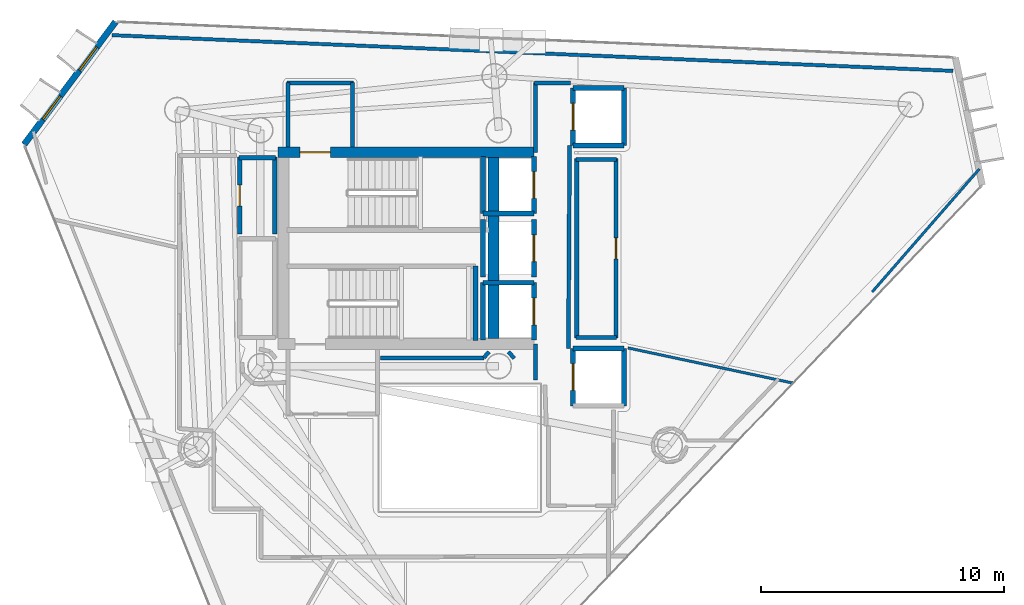
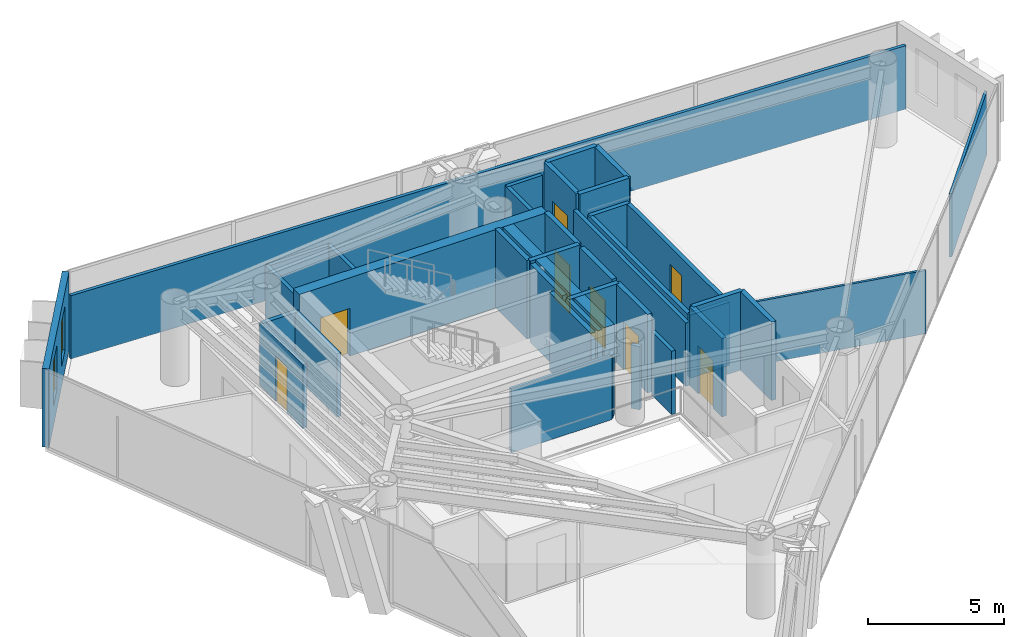
# One storey, part 16 of 21: 39 walls, 8 doors, 2 windows, 10 openings.
"""IFC4 building model written with IfcOpenShell, lengths in metres."""

from ifc_helpers import new_model, si_unit, direction, frame, frame_2d, origin, place, context, subcontext, project, spatial, rectangle, extrude, material, layer, layer_set, type_object, element, fill, save


model = new_model("IFC4")

# Units and contexts
model_context = context("Model", 3, precision=1e-05, world=origin(), true_north=direction((0.0, 1.0)))
body_context = subcontext(model_context, "Body", "Model", "MODEL_VIEW")
ifc_project = project(units=[si_unit("LENGTHUNIT", "METRE"), si_unit("AREAUNIT", "SQUARE_METRE"), si_unit("VOLUMEUNIT", "CUBIC_METRE"), si_unit("PLANEANGLEUNIT", "RADIAN"), si_unit("MASSUNIT", "GRAM", prefix="KILO")], contexts=[model_context])

# Site, building, storey
site_placement = place(None, origin())
site = spatial("IfcSite", under=ifc_project, at=site_placement, CompositionType="ELEMENT")
building_placement = place(site_placement, origin())
building = spatial("IfcBuilding", under=site, at=building_placement, Name="Qianvela Tower", CompositionType="ELEMENT")
storey_placement = place(building_placement, frame((0.0, 0.0, 242.699951171875)))
storey = spatial("IfcBuildingStorey", under=building, at=storey_placement, Name="L62", CompositionType="ELEMENT", Elevation=242.699951171875)

# Wall, openings, windows
ifc_material_1 = material(Name="Terracotta Cladding on Concrete C40", Category="masonry")
ifc_layer_1 = layer(ifc_material_1, 0.260009765625)
ifc_layer_set_1 = layer_set([ifc_layer_1], Name="Terracotta Cladding on Concrete C40")
wall_type_1 = type_object("IfcWallType", Name="TERRACOTTA-WALL-260", PredefinedType="SOLIDWALL", material=ifc_layer_set_1)
wall_1_placement = place(storey_placement, frame((22.64208984375, 38.004638671875, 0.0), z_axis=(0.0, 0.0, 1.0), x_axis=(-0.597554304576, -0.801828443673, 0.0)))
wall_1 = element("IfcWall", 1, at=wall_1_placement, inside=storey, type_object=wall_type_1, Name="L62 Terracotta Chamfer Facet Wall 3", PredefinedType="SOLIDWALL", context=body_context, shape_type="SweptSolid", body=[
    extrude(rectangle(XDim=6.2841796875, YDim=0.260009765625, at=frame_2d((3.14208984375, 0.0))), origin(), (0.0, 0.0, 1.0), 3.52001953125),
])
opening_1_placement = place(wall_1_placement, frame((1.28515625, 0.0, 0.89990234375)))
opening_1 = element("IfcOpeningElement", 2, at=opening_1_placement, cuts=wall_1, Name="Opening W-03", PredefinedType="OPENING", context=body_context, shape_type="SweptSolid", body=[
    extrude(rectangle(XDim=1.199951171875, YDim=2.0, at=frame_2d((0.60009765625, 1.0))), frame((0.0, 0.139892578125, 0.0), z_axis=(0.0, -1.0, 0.0), x_axis=(1.0, 0.0, 0.0)), (0.0, 0.0, 1.0), 0.280029296875),
])
opening_2_placement = place(wall_1_placement, frame((3.798828125, 0.0, 0.89990234375)))
opening_2 = element("IfcOpeningElement", 3, at=opening_2_placement, cuts=wall_1, Name="Opening W-03", PredefinedType="OPENING", context=body_context, shape_type="SweptSolid", body=[
    extrude(rectangle(XDim=1.199951171875, YDim=2.0, at=frame_2d((0.60009765625, 1.0))), frame((0.0, 0.139892578125, 0.0), z_axis=(0.0, -1.0, 0.0), x_axis=(1.0, 0.0, 0.0)), (0.0, 0.0, 1.0), 0.280029296875),
])
ifc_material_2 = material(Name="Thermally Broken Aluminium and Low-E Glass", Category="aluminium")
window_type = type_object("IfcWindowType", Name="WIN-TC-1200x2000", PartitioningType="SINGLE_PANEL", PredefinedType="WINDOW", material=ifc_material_2)
window_1_placement = place(opening_1_placement, origin())
window_1 = element("IfcWindow", 4, at=window_1_placement, inside=storey, type_object=window_type, Name="L62 Chamfer Facet Window 3.1", OverallHeight=2.0, OverallWidth=1.199951171875, PartitioningType="SINGLE_PANEL", PredefinedType="WINDOW", context=body_context, shape_type="SweptSolid", body=[
    extrude(rectangle(XDim=1.199951171875, YDim=2.0, at=frame_2d((0.60009765625, 1.0))), frame((0.0, 0.030029296875, 0.0), z_axis=(0.0, -1.0, 0.0), x_axis=(1.0, 0.0, 0.0)), (0.0, 0.0, 1.0), 0.06005859375),
])
fill(opening_1, window_1)
window_2_placement = place(opening_2_placement, origin())
window_2 = element("IfcWindow", 5, at=window_2_placement, inside=storey, type_object=window_type, Name="L62 Chamfer Facet Window 3.2", OverallHeight=2.0, OverallWidth=1.199951171875, PartitioningType="SINGLE_PANEL", PredefinedType="WINDOW", context=body_context, shape_type="SweptSolid", body=[
    extrude(rectangle(XDim=1.199951171875, YDim=2.0, at=frame_2d((0.60009765625, 1.0))), frame((0.0, 0.030029296875, 0.0), z_axis=(0.0, -1.0, 0.0), x_axis=(1.0, 0.0, 0.0)), (0.0, 0.0, 1.0), 0.06005859375),
])
fill(opening_2, window_2)

# Wall, opening, door
ifc_material_3 = material(Name="Concrete C50", Category="concrete")
ifc_layer_2 = layer(ifc_material_3, 0.449951171875)
ifc_layer_set_2 = layer_set([ifc_layer_2], Name="Concrete C50")
wall_type_2 = type_object("IfcWallType", Name="WT-CORE-450", PredefinedType="SHEAR", material=ifc_layer_set_2)
wall_2_placement = place(storey_placement, frame((29.330078125, 32.64501953125, 0.0), z_axis=(0.0, 0.0, 1.0), x_axis=(1.0, 0.0, 0.0)))
wall_2 = element("IfcWall", 6, at=wall_2_placement, inside=storey, type_object=wall_type_2, Name="L62 North Core Shear Wall", PredefinedType="SHEAR", context=body_context, shape_type="SweptSolid", body=[
    extrude(rectangle(XDim=10.52001953125, YDim=0.449951171875, at=frame_2d((5.260009765625, 0.0))), origin(), (0.0, 0.0, 1.0), 3.52001953125),
])
opening_3_placement = place(wall_2_placement, frame((0.89501953125, 0.0, 0.0)))
opening_3 = element("IfcOpeningElement", 7, at=opening_3_placement, cuts=wall_2, Name="Opening D-ST1", PredefinedType="OPENING", context=body_context, shape_type="SweptSolid", body=[
    extrude(rectangle(XDim=1.25, YDim=2.14990234375, at=frame_2d((0.625, 1.074951171875))), frame((0.0, 0.23486328125, 0.0), z_axis=(0.0, -1.0, 0.0), x_axis=(1.0, 0.0, 0.0)), (0.0, 0.0, 1.0), 0.469970703125),
])
ifc_material_4 = material(Name="Galvanised Fire Steel Q355B", Category="steel")
door_type_1 = type_object("IfcDoorType", Name="DT-STAIR-FD90", OperationType="NOTDEFINED", PredefinedType="DOOR", material=ifc_material_4)
door_1_placement = place(opening_3_placement, origin())
door_1 = element("IfcDoor", 8, at=door_1_placement, inside=storey, type_object=door_type_1, Name="L62 Stair ST-1 Exit Door", OperationType="SINGLE_SWING_RIGHT", OverallHeight=2.14990234375, OverallWidth=1.25, PredefinedType="DOOR", context=body_context, shape_type="SweptSolid", body=[
    extrude(rectangle(XDim=1.25, YDim=2.14990234375, at=frame_2d((0.625, 1.074951171875))), frame((0.0, 0.02490234375, 0.0), z_axis=(0.0, -1.0, 0.0), x_axis=(1.0, 0.0, 0.0)), (0.0, 0.0, 1.0), 0.050048828125),
])
fill(opening_3, door_1)

# Walls
wall_3_placement = place(storey_placement, frame((38.179931640625, 24.97998046875, 0.0), z_axis=(0.0, 0.0, 1.0), x_axis=(0.0, 1.0, 0.0)))
element("IfcWall", 9, at=wall_3_placement, inside=storey, type_object=wall_type_2, Name="L62 East Spine Core Shear Wall", PredefinedType="SHEAR", context=body_context, shape_type="SweptSolid", body=[
    extrude(rectangle(XDim=7.43994140625, YDim=0.449951171875, at=frame_2d((3.719970703125, 0.0))), origin(), (0.0, 0.0, 1.0), 3.52001953125),
])
ifc_material_5 = material(Name="Fire-Rated Gypsum and Concrete Block", Category="concrete")
ifc_layer_3 = layer(ifc_material_5, 0.159912109375)
ifc_layer_set_3 = layer_set([ifc_layer_3], Name="Fire-Rated Gypsum and Concrete Block")
wall_type_3 = type_object("IfcWallType", Name="WT-CORR-160", PredefinedType="PARTITIONING", material=ifc_layer_set_3)
wall_4_placement = place(storey_placement, frame((29.73095703125, 32.85791015625, 0.0), z_axis=(0.0, 0.0, 1.0), x_axis=(0.0, 1.0, 0.0)))
element("IfcWall", 10, at=wall_4_placement, inside=storey, type_object=wall_type_3, Name="L62 Partition 2", PredefinedType="PARTITIONING", context=body_context, shape_type="SweptSolid", body=[
    extrude(rectangle(XDim=2.662109375, YDim=0.159912109375, at=frame_2d((1.3310546875, 0.0))), origin(), (0.0, 0.0, 1.0), 2.840087890625),
])
wall_5_placement = place(storey_placement, frame((29.699951171875, 35.489013671875, 0.0), z_axis=(0.0, 0.0, 1.0), x_axis=(1.0, 0.0, 0.0)))
element("IfcWall", 11, at=wall_5_placement, inside=storey, type_object=wall_type_3, Name="L62 Partition 3", PredefinedType="PARTITIONING", context=body_context, shape_type="SweptSolid", body=[
    extrude(rectangle(XDim=2.719970703125, YDim=0.159912109375, at=frame_2d((1.35986328125, 0.0))), origin(), (0.0, 0.0, 1.0), 2.840087890625),
])
wall_6_placement = place(storey_placement, frame((32.388916015625, 35.52001953125, 0.0), z_axis=(0.0, 0.0, 1.0), x_axis=(0.0, -1.0, 0.0)))
element("IfcWall", 12, at=wall_6_placement, inside=storey, type_object=wall_type_3, Name="L62 Partition 4", PredefinedType="PARTITIONING", context=body_context, shape_type="SweptSolid", body=[
    extrude(rectangle(XDim=2.662109375, YDim=0.159912109375, at=frame_2d((1.3310546875, 0.0))), origin(), (0.0, 0.0, 1.0), 2.840087890625),
])
wall_7_placement = place(storey_placement, frame((39.910888671875, 23.280029296875, 0.0), z_axis=(0.0, 0.0, 1.0), x_axis=(0.0, 1.0, 0.0)))
element("IfcWall", 13, at=wall_7_placement, inside=storey, type_object=wall_type_3, Name="L62 Partition 10", PredefinedType="PARTITIONING", context=body_context, shape_type="SweptSolid", body=[
    extrude(rectangle(XDim=1.47998046875, YDim=0.159912109375, at=frame_2d((0.739990234375, 0.0))), origin(), (0.0, 0.0, 1.0), 2.840087890625),
])
wall_8_placement = place(storey_placement, frame((39.910888671875, 32.639892578125, 0.0), z_axis=(0.0, 0.0, 1.0), x_axis=(0.0, 1.0, 0.0)))
element("IfcWall", 14, at=wall_8_placement, inside=storey, type_object=wall_type_3, Name="L62 Partition 12", PredefinedType="PARTITIONING", context=body_context, shape_type="SweptSolid", body=[
    extrude(rectangle(XDim=2.880126953125, YDim=0.159912109375, at=frame_2d((1.43994140625, 0.0))), origin(), (0.0, 0.0, 1.0), 2.840087890625),
])
wall_9_placement = place(storey_placement, frame((39.8798828125, 35.489013671875, 0.0), z_axis=(0.0, 0.0, 1.0), x_axis=(1.0, 0.0, 0.0)))
element("IfcWall", 15, at=wall_9_placement, inside=storey, type_object=wall_type_3, Name="L62 Partition 13", PredefinedType="PARTITIONING", context=body_context, shape_type="SweptSolid", body=[
    extrude(rectangle(XDim=1.480224609375, YDim=0.159912109375, at=frame_2d((0.740234375, 0.0))), origin(), (0.0, 0.0, 1.0), 2.840087890625),
])
wall_10_placement = place(storey_placement, frame((41.3134765625, 32.919921875, 0.0), z_axis=(0.0, 0.0, 1.0), x_axis=(-0.005942518022, -0.999982343084, 0.0)))
element("IfcWall", 16, at=wall_10_placement, inside=storey, type_object=wall_type_3, Name="L62 Partition 14 seg 2", PredefinedType="PARTITIONING", context=body_context, shape_type="SweptSolid", body=[
    extrude(rectangle(XDim=8.340087890625, YDim=0.159912109375, at=frame_2d((4.169921875, 0.0))), origin(), (0.0, 0.0, 1.0), 2.840087890625),
])
wall_11_placement = place(storey_placement, frame((39.0361328125, 24.170166015625, 0.0), z_axis=(0.0, 0.0, 1.0), x_axis=(-0.652260263346, 0.757995084984, 0.0)))
element("IfcWall", 17, at=wall_11_placement, inside=storey, type_object=wall_type_3, Name="L62 Partition 45", PredefinedType="PARTITIONING", context=body_context, shape_type="SweptSolid", body=[
    extrude(rectangle(XDim=0.35546875, YDim=0.159912109375, at=frame_2d((0.177734375, 0.0))), origin(), (0.0, 0.0, 1.0), 2.840087890625),
])
wall_12_placement = place(storey_placement, frame((37.995849609375, 24.439697265625, 0.0), z_axis=(0.0, 0.0, 1.0), x_axis=(-0.652425645794, -0.757852740782, 0.0)))
element("IfcWall", 18, at=wall_12_placement, inside=storey, type_object=wall_type_3, Name="L62 Partition 48", PredefinedType="PARTITIONING", context=body_context, shape_type="SweptSolid", body=[
    extrude(rectangle(XDim=0.319580078125, YDim=0.159912109375, at=frame_2d((0.15966796875, 0.0))), origin(), (0.0, 0.0, 1.0), 2.840087890625),
])
wall_13_placement = place(storey_placement, frame((37.787353515625, 24.180908203125, 0.0), z_axis=(0.0, 0.0, 1.0), x_axis=(-1.0, 0.0, 0.0)))
element("IfcWall", 19, at=wall_13_placement, inside=storey, type_object=wall_type_3, Name="L62 Partition 49", PredefinedType="PARTITIONING", context=body_context, shape_type="SweptSolid", body=[
    extrude(rectangle(XDim=4.25732421875, YDim=0.159912109375, at=frame_2d((2.128662109375, 0.0))), origin(), (0.0, 0.0, 1.0), 2.840087890625),
])
ifc_material_6 = material(Name="Lightweight Gypsum Room Partition")
ifc_layer_4 = layer(ifc_material_6, 0.10498046875)
ifc_layer_set_4 = layer_set([ifc_layer_4], Name="Lightweight Gypsum Room Partition")
wall_type_4 = type_object("IfcWallType", Name="WT-PART-105", PredefinedType="PARTITIONING", material=ifc_layer_set_4)
wall_14_placement = place(storey_placement, frame((43.709716796875, 24.601318359375, 0.0), z_axis=(0.0, 0.0, 1.0), x_axis=(0.978027062603, -0.208477972017, 0.0)))
element("IfcWall", 20, at=wall_14_placement, inside=storey, type_object=wall_type_4, Name="L62 Partition 86", PredefinedType="PARTITIONING", context=body_context, shape_type="SweptSolid", body=[
    extrude(rectangle(XDim=6.96435546875, YDim=0.10498046875, at=frame_2d((3.482177734375, 0.0))), origin(), (0.0, 0.0, 1.0), 2.840087890625),
])
wall_15_placement = place(storey_placement, frame((58.162109375, 31.95947265625, 0.0), z_axis=(0.0, 0.0, 1.0), x_axis=(-0.656996886826, -0.75389328867, 0.0)))
element("IfcWall", 21, at=wall_15_placement, inside=storey, type_object=wall_type_4, Name="L62 Partition 110 seg 1", PredefinedType="PARTITIONING", context=body_context, shape_type="SweptSolid", body=[
    extrude(rectangle(XDim=6.712158203125, YDim=0.10498046875, at=frame_2d((3.35595703125, 0.0))), origin(), (0.0, 0.0, 1.0), 2.840087890625),
])
ifc_material_7 = material(Name="Moisture-Resistant Acoustic Plumbing Wall")
ifc_layer_5 = layer(ifc_material_7, 0.175048828125)
ifc_layer_set_5 = layer_set([ifc_layer_5], Name="Moisture-Resistant Acoustic Plumbing Wall")
wall_type_5 = type_object("IfcWallType", Name="WT-PLUMB-175", PredefinedType="PLUMBINGWALL", material=ifc_layer_set_5)
wall_16_placement = place(storey_placement, frame((43.25, 25.031005859375, 0.0), z_axis=(0.0, 0.0, 1.0), x_axis=(-1.0, 0.0, 0.0)))
element("IfcWall", 22, at=wall_16_placement, inside=storey, type_object=wall_type_5, Name="L62 Partition 19", PredefinedType="PLUMBINGWALL", context=body_context, shape_type="SweptSolid", body=[
    extrude(rectangle(XDim=1.669921875, YDim=0.175048828125, at=frame_2d((0.8349609375, 0.0))), origin(), (0.0, 0.0, 1.0), 2.840087890625),
])
wall_17_placement = place(storey_placement, frame((41.611083984375, 25.0, 0.0), z_axis=(0.0, 0.0, 1.0), x_axis=(0.0, 1.0, 0.0)))
element("IfcWall", 23, at=wall_17_placement, inside=storey, type_object=wall_type_5, Name="L62 Partition 20", PredefinedType="PLUMBINGWALL", context=body_context, shape_type="SweptSolid", body=[
    extrude(rectangle(XDim=7.3798828125, YDim=0.175048828125, at=frame_2d((3.68994140625, 0.0))), origin(), (0.0, 0.0, 1.0), 2.840087890625),
])
wall_18_placement = place(storey_placement, frame((41.580078125, 32.34912109375, 0.0), z_axis=(0.0, 0.0, 1.0), x_axis=(1.0, 0.0, 0.0)))
element("IfcWall", 24, at=wall_18_placement, inside=storey, type_object=wall_type_5, Name="L62 Partition 21", PredefinedType="PLUMBINGWALL", context=body_context, shape_type="SweptSolid", body=[
    extrude(rectangle(XDim=1.669921875, YDim=0.175048828125, at=frame_2d((0.8349609375, 0.0))), origin(), (0.0, 0.0, 1.0), 2.840087890625),
])

# Wall, opening, door
wall_19_placement = place(storey_placement, frame((43.218994140625, 32.3798828125, 0.0), z_axis=(0.0, 0.0, 1.0), x_axis=(0.0, -1.0, 0.0)))
wall_19 = element("IfcWall", 25, at=wall_19_placement, inside=storey, type_object=wall_type_5, Name="L62 Partition 22", PredefinedType="PLUMBINGWALL", context=body_context, shape_type="SweptSolid", body=[
    extrude(rectangle(XDim=7.3798828125, YDim=0.175048828125, at=frame_2d((3.68994140625, 0.0))), origin(), (0.0, 0.0, 1.0), 2.840087890625),
])
opening_4_placement = place(wall_19_placement, frame((3.260009765625, 0.0, 0.0)))
opening_4 = element("IfcOpeningElement", 26, at=opening_4_placement, cuts=wall_19, Name="Opening D-WC1", PredefinedType="OPENING", context=body_context, shape_type="SweptSolid", body=[
    extrude(rectangle(XDim=0.860107421875, YDim=2.050048828125, at=frame_2d((0.43017578125, 1.02490234375))), frame((0.0, 0.097412109375, 0.0), z_axis=(0.0, -1.0, 0.0), x_axis=(1.0, 0.0, 0.0)), (0.0, 0.0, 1.0), 0.195068359375),
])
ifc_material_8 = material(Name="Moisture-Sealed Acoustic Timber Door", Category="wood")
door_type_2 = type_object("IfcDoorType", Name="DT-WC-860", OperationType="NOTDEFINED", PredefinedType="DOOR", material=ifc_material_8)
door_2_placement = place(opening_4_placement, origin())
door_2 = element("IfcDoor", 27, at=door_2_placement, inside=storey, type_object=door_type_2, Name="L62 Door L62 Accessible WC to Maker Craft Workshop L62-05", OperationType="SINGLE_SWING_RIGHT", OverallHeight=2.050048828125, OverallWidth=0.860107421875, PredefinedType="DOOR", context=body_context, shape_type="SweptSolid", body=[
    extrude(rectangle(XDim=0.860107421875, YDim=2.050048828125, at=frame_2d((0.43017578125, 1.02490234375))), frame((0.0, 0.02490234375, 0.0), z_axis=(0.0, -1.0, 0.0), x_axis=(1.0, 0.0, 0.0)), (0.0, 0.0, 1.0), 0.050048828125),
])
fill(opening_4, door_2)

wall_20_placement = place(storey_placement, frame((27.7509765625, 29.280029296875, 0.0), z_axis=(0.0, 0.0, 1.0), x_axis=(0.0, 1.0, 0.0)))
wall_20 = element("IfcWall", 28, at=wall_20_placement, inside=storey, type_object=wall_type_5, Name="L62 Partition 27", PredefinedType="PLUMBINGWALL", context=body_context, shape_type="SweptSolid", body=[
    extrude(rectangle(XDim=3.169921875, YDim=0.175048828125, at=frame_2d((1.5849609375, 0.0))), origin(), (0.0, 0.0, 1.0), 2.840087890625),
])
opening_5_placement = place(wall_20_placement, frame((1.155029296875, 0.0, 0.0)))
opening_5 = element("IfcOpeningElement", 29, at=opening_5_placement, cuts=wall_20, Name="Opening D-WC1", PredefinedType="OPENING", context=body_context, shape_type="SweptSolid", body=[
    extrude(rectangle(XDim=0.860107421875, YDim=2.050048828125, at=frame_2d((0.43017578125, 1.02490234375))), frame((0.0, 0.097412109375, 0.0), z_axis=(0.0, -1.0, 0.0), x_axis=(1.0, 0.0, 0.0)), (0.0, 0.0, 1.0), 0.195068359375),
])
door_3_placement = place(opening_5_placement, origin())
door_3 = element("IfcDoor", 30, at=door_3_placement, inside=storey, type_object=door_type_2, Name="L62 Door L62 Accessible WC to L62 Floor Corridor", OperationType="SINGLE_SWING_LEFT", OverallHeight=2.050048828125, OverallWidth=0.860107421875, PredefinedType="DOOR", context=body_context, shape_type="SweptSolid", body=[
    extrude(rectangle(XDim=0.860107421875, YDim=2.050048828125, at=frame_2d((0.43017578125, 1.02490234375))), frame((0.0, 0.02490234375, 0.0), z_axis=(0.0, -1.0, 0.0), x_axis=(1.0, 0.0, 0.0)), (0.0, 0.0, 1.0), 0.050048828125),
])
fill(opening_5, door_3)

# Walls
wall_21_placement = place(storey_placement, frame((27.719970703125, 32.4189453125, 0.0), z_axis=(0.0, 0.0, 1.0), x_axis=(1.0, 0.0, 0.0)))
element("IfcWall", 31, at=wall_21_placement, inside=storey, type_object=wall_type_5, Name="L62 Partition 28", PredefinedType="PLUMBINGWALL", context=body_context, shape_type="SweptSolid", body=[
    extrude(rectangle(XDim=1.5, YDim=0.175048828125, at=frame_2d((0.75, 0.0))), origin(), (0.0, 0.0, 1.0), 2.840087890625),
])
wall_22_placement = place(storey_placement, frame((29.18896484375, 32.449951171875, 0.0), z_axis=(0.0, 0.0, 1.0), x_axis=(0.0, -1.0, 0.0)))
element("IfcWall", 32, at=wall_22_placement, inside=storey, type_object=wall_type_5, Name="L62 Partition 29", PredefinedType="PLUMBINGWALL", context=body_context, shape_type="SweptSolid", body=[
    extrude(rectangle(XDim=3.169921875, YDim=0.175048828125, at=frame_2d((1.5849609375, 0.0))), origin(), (0.0, 0.0, 1.0), 2.840087890625),
])
ifc_material_9 = material(Name="Acoustic Double Gypsum Stud Partition")
ifc_layer_6 = layer(ifc_material_9, 0.139892578125)
ifc_layer_set_6 = layer_set([ifc_layer_6], Name="Acoustic Double Gypsum Stud Partition")
wall_type_6 = type_object("IfcWallType", Name="WT-ROOM-140", PredefinedType="PARTITIONING", material=ifc_layer_set_6)
wall_23_placement = place(storey_placement, frame((22.506591796875, 37.458984375, 0.0), z_axis=(0.0, 0.0, 1.0), x_axis=(0.999098166192, -0.042460031931, 0.0)))
element("IfcWall", 33, at=wall_23_placement, inside=storey, type_object=wall_type_6, Name="L62 Partition 108", PredefinedType="PARTITIONING", context=body_context, shape_type="SweptSolid", body=[
    extrude(rectangle(XDim=34.608642578125, YDim=0.139892578125, at=frame_2d((17.30419921875, 0.0))), origin(), (0.0, 0.0, 1.0), 2.840087890625),
])
ifc_material_10 = material(Name="Concrete C50", Category="concrete")
ifc_layer_7 = layer(ifc_material_10, 0.199951171875)
ifc_layer_set_7 = layer_set([ifc_layer_7], Name="Concrete C50")
wall_type_7 = type_object("IfcWallType", Name="WT-SHAFT-200", PredefinedType="SOLIDWALL", material=ifc_layer_set_7)
wall_24_placement = place(storey_placement, frame((37.449951171875, 24.89990234375, 0.0), z_axis=(0.0, 0.0, 1.0), x_axis=(0.0, 1.0, 0.0)))
element("IfcWall", 34, at=wall_24_placement, inside=storey, type_object=wall_type_7, Name="L62 Stair ST-2 East Wall", PredefinedType="SOLIDWALL", context=body_context, shape_type="SweptSolid", body=[
    extrude(rectangle(XDim=3.06005859375, YDim=0.199951171875, at=frame_2d((1.530029296875, 0.0))), origin(), (0.0, 0.0, 1.0), 3.52001953125),
])

# Wall, opening, door
wall_25_placement = place(storey_placement, frame((39.85009765625, 30.1201171875, 0.0), z_axis=(0.0, 0.0, 1.0), x_axis=(0.0, 1.0, 0.0)))
wall_25 = element("IfcWall", 35, at=wall_25_placement, inside=storey, type_object=wall_type_7, Name="L62 Lift FL-1 E Shaft Wall", PredefinedType="SOLIDWALL", context=body_context, shape_type="SweptSolid", body=[
    extrude(rectangle(XDim=2.35986328125, YDim=0.199951171875, at=frame_2d((1.179931640625, 0.0))), origin(), (0.0, 0.0, 1.0), 3.52001953125),
])
opening_6_placement = place(wall_25_placement, frame((0.6298828125, 0.0, 0.0)))
opening_6 = element("IfcOpeningElement", 36, at=opening_6_placement, cuts=wall_25, Name="Opening LD-01", PredefinedType="OPENING", context=body_context, shape_type="SweptSolid", body=[
    extrude(rectangle(XDim=1.10009765625, YDim=2.14990234375, at=frame_2d((0.550048828125, 1.074951171875))), frame((0.0, 0.10986328125, 0.0), z_axis=(0.0, -1.0, 0.0), x_axis=(1.0, 0.0, 0.0)), (0.0, 0.0, 1.0), 0.219970703125),
])
ifc_material_11 = material(Name="Brushed Stainless Steel Lift Landing Door", Category="steel")
door_type_3 = type_object("IfcDoorType", Name="DT-LIFT-SLIDE-1100", OperationType="SLIDING_TO_LEFT", PredefinedType="DOOR", material=ifc_material_11)
door_4_placement = place(opening_6_placement, origin())
door_4 = element("IfcDoor", 37, at=door_4_placement, inside=storey, type_object=door_type_3, Name="L62 Lift FL-1 Sliding Landing Door", OperationType="SLIDING_TO_LEFT", OverallHeight=2.14990234375, OverallWidth=1.10009765625, PredefinedType="DOOR", context=body_context, shape_type="SweptSolid", body=[
    extrude(rectangle(XDim=1.10009765625, YDim=2.14990234375, at=frame_2d((0.550048828125, 1.074951171875))), frame((0.0, 0.02490234375, 0.0), z_axis=(0.0, -1.0, 0.0), x_axis=(1.0, 0.0, 0.0)), (0.0, 0.0, 1.0), 0.050048828125),
])
fill(opening_6, door_4)

# Walls
wall_26_placement = place(storey_placement, frame((37.75, 30.1201171875, 0.0), z_axis=(0.0, 0.0, 1.0), x_axis=(0.0, 1.0, 0.0)))
element("IfcWall", 38, at=wall_26_placement, inside=storey, type_object=wall_type_7, Name="L62 Lift FL-1 W Shaft Wall", PredefinedType="SOLIDWALL", context=body_context, shape_type="SweptSolid", body=[
    extrude(rectangle(XDim=2.35986328125, YDim=0.199951171875, at=frame_2d((1.179931640625, 0.0))), origin(), (0.0, 0.0, 1.0), 3.52001953125),
])
wall_27_placement = place(storey_placement, frame((37.75, 30.1201171875, 0.0), z_axis=(0.0, 0.0, 1.0), x_axis=(1.0, 0.0, 0.0)))
element("IfcWall", 39, at=wall_27_placement, inside=storey, type_object=wall_type_7, Name="L62 Lift FL-1 S Shaft Wall", PredefinedType="SOLIDWALL", context=body_context, shape_type="SweptSolid", body=[
    extrude(rectangle(XDim=2.10009765625, YDim=0.199951171875, at=frame_2d((1.050048828125, 0.0))), origin(), (0.0, 0.0, 1.0), 3.52001953125),
])

# Wall, opening, door
wall_28_placement = place(storey_placement, frame((39.85009765625, 24.919921875, 0.0), z_axis=(0.0, 0.0, 1.0), x_axis=(0.0, 1.0, 0.0)))
wall_28 = element("IfcWall", 40, at=wall_28_placement, inside=storey, type_object=wall_type_7, Name="L62 Lift FL-2 E Shaft Wall", PredefinedType="SOLIDWALL", context=body_context, shape_type="SweptSolid", body=[
    extrude(rectangle(XDim=2.360107421875, YDim=0.199951171875, at=frame_2d((1.18017578125, 0.0))), origin(), (0.0, 0.0, 1.0), 3.52001953125),
])
opening_7_placement = place(wall_28_placement, frame((0.6298828125, 0.0, 0.0)))
opening_7 = element("IfcOpeningElement", 41, at=opening_7_placement, cuts=wall_28, Name="Opening LD-01", PredefinedType="OPENING", context=body_context, shape_type="SweptSolid", body=[
    extrude(rectangle(XDim=1.10009765625, YDim=2.14990234375, at=frame_2d((0.550048828125, 1.074951171875))), frame((0.0, 0.10986328125, 0.0), z_axis=(0.0, -1.0, 0.0), x_axis=(1.0, 0.0, 0.0)), (0.0, 0.0, 1.0), 0.219970703125),
])
door_5_placement = place(opening_7_placement, origin())
door_5 = element("IfcDoor", 42, at=door_5_placement, inside=storey, type_object=door_type_3, Name="L62 Lift FL-2 Sliding Landing Door", OperationType="SLIDING_TO_LEFT", OverallHeight=2.14990234375, OverallWidth=1.10009765625, PredefinedType="DOOR", context=body_context, shape_type="SweptSolid", body=[
    extrude(rectangle(XDim=1.10009765625, YDim=2.14990234375, at=frame_2d((0.550048828125, 1.074951171875))), frame((0.0, 0.02490234375, 0.0), z_axis=(0.0, -1.0, 0.0), x_axis=(1.0, 0.0, 0.0)), (0.0, 0.0, 1.0), 0.050048828125),
])
fill(opening_7, door_5)

# Walls
wall_29_placement = place(storey_placement, frame((37.75, 24.919921875, 0.0), z_axis=(0.0, 0.0, 1.0), x_axis=(0.0, 1.0, 0.0)))
element("IfcWall", 43, at=wall_29_placement, inside=storey, type_object=wall_type_7, Name="L62 Lift FL-2 W Shaft Wall", PredefinedType="SOLIDWALL", context=body_context, shape_type="SweptSolid", body=[
    extrude(rectangle(XDim=2.360107421875, YDim=0.199951171875, at=frame_2d((1.18017578125, 0.0))), origin(), (0.0, 0.0, 1.0), 3.52001953125),
])
wall_30_placement = place(storey_placement, frame((37.75, 27.280029296875, 0.0), z_axis=(0.0, 0.0, 1.0), x_axis=(1.0, 0.0, 0.0)))
element("IfcWall", 44, at=wall_30_placement, inside=storey, type_object=wall_type_7, Name="L62 Lift FL-2 N Shaft Wall", PredefinedType="SOLIDWALL", context=body_context, shape_type="SweptSolid", body=[
    extrude(rectangle(XDim=2.10009765625, YDim=0.199951171875, at=frame_2d((1.050048828125, 0.0))), origin(), (0.0, 0.0, 1.0), 3.52001953125),
])

# Wall, opening, door
wall_31_placement = place(storey_placement, frame((39.85009765625, 27.52001953125, 0.0), z_axis=(0.0, 0.0, 1.0), x_axis=(0.0, 1.0, 0.0)))
wall_31 = element("IfcWall", 45, at=wall_31_placement, inside=storey, type_object=wall_type_7, Name="L62 Lift PL-H1 E Shaft Wall", PredefinedType="SOLIDWALL", context=body_context, shape_type="SweptSolid", body=[
    extrude(rectangle(XDim=2.35986328125, YDim=0.199951171875, at=frame_2d((1.179931640625, 0.0))), origin(), (0.0, 0.0, 1.0), 3.52001953125),
])
opening_8_placement = place(wall_31_placement, frame((0.6298828125, 0.0, 0.0)))
opening_8 = element("IfcOpeningElement", 46, at=opening_8_placement, cuts=wall_31, Name="Opening LD-01", PredefinedType="OPENING", context=body_context, shape_type="SweptSolid", body=[
    extrude(rectangle(XDim=1.10009765625, YDim=2.14990234375, at=frame_2d((0.550048828125, 1.074951171875))), frame((0.0, 0.10986328125, 0.0), z_axis=(0.0, -1.0, 0.0), x_axis=(1.0, 0.0, 0.0)), (0.0, 0.0, 1.0), 0.219970703125),
])
door_6_placement = place(opening_8_placement, origin())
door_6 = element("IfcDoor", 47, at=door_6_placement, inside=storey, type_object=door_type_3, Name="L62 Lift PL-H1 Sliding Landing Door", OperationType="SLIDING_TO_LEFT", OverallHeight=2.14990234375, OverallWidth=1.10009765625, PredefinedType="DOOR", context=body_context, shape_type="SweptSolid", body=[
    extrude(rectangle(XDim=1.10009765625, YDim=2.14990234375, at=frame_2d((0.550048828125, 1.074951171875))), frame((0.0, 0.02490234375, 0.0), z_axis=(0.0, -1.0, 0.0), x_axis=(1.0, 0.0, 0.0)), (0.0, 0.0, 1.0), 0.050048828125),
])
fill(opening_8, door_6)

# Walls
wall_32_placement = place(storey_placement, frame((37.75, 27.52001953125, 0.0), z_axis=(0.0, 0.0, 1.0), x_axis=(0.0, 1.0, 0.0)))
element("IfcWall", 48, at=wall_32_placement, inside=storey, type_object=wall_type_7, Name="L62 Lift PL-H1 W Shaft Wall", PredefinedType="SOLIDWALL", context=body_context, shape_type="SweptSolid", body=[
    extrude(rectangle(XDim=2.35986328125, YDim=0.199951171875, at=frame_2d((1.179931640625, 0.0))), origin(), (0.0, 0.0, 1.0), 3.52001953125),
])
wall_33_placement = place(storey_placement, frame((43.550048828125, 22.219970703125, 0.0), z_axis=(0.0, 0.0, 1.0), x_axis=(0.0, 1.0, 0.0)))
element("IfcWall", 49, at=wall_33_placement, inside=storey, type_object=wall_type_7, Name="L62 Lift PL-H2 E Shaft Wall", PredefinedType="SOLIDWALL", context=body_context, shape_type="SweptSolid", body=[
    extrude(rectangle(XDim=2.360107421875, YDim=0.199951171875, at=frame_2d((1.18017578125, 0.0))), origin(), (0.0, 0.0, 1.0), 3.52001953125),
])

# Wall, opening, door
wall_34_placement = place(storey_placement, frame((41.449951171875, 22.219970703125, 0.0), z_axis=(0.0, 0.0, 1.0), x_axis=(0.0, 1.0, 0.0)))
wall_34 = element("IfcWall", 50, at=wall_34_placement, inside=storey, type_object=wall_type_7, Name="L62 Lift PL-H2 W Shaft Wall", PredefinedType="SOLIDWALL", context=body_context, shape_type="SweptSolid", body=[
    extrude(rectangle(XDim=2.360107421875, YDim=0.199951171875, at=frame_2d((1.18017578125, 0.0))), origin(), (0.0, 0.0, 1.0), 3.52001953125),
])
opening_9_placement = place(wall_34_placement, frame((0.6298828125, 0.0, 0.0)))
opening_9 = element("IfcOpeningElement", 51, at=opening_9_placement, cuts=wall_34, Name="Opening LD-01", PredefinedType="OPENING", context=body_context, shape_type="SweptSolid", body=[
    extrude(rectangle(XDim=1.10009765625, YDim=2.14990234375, at=frame_2d((0.550048828125, 1.074951171875))), frame((0.0, 0.10986328125, 0.0), z_axis=(0.0, -1.0, 0.0), x_axis=(1.0, 0.0, 0.0)), (0.0, 0.0, 1.0), 0.219970703125),
])
door_7_placement = place(opening_9_placement, origin())
door_7 = element("IfcDoor", 52, at=door_7_placement, inside=storey, type_object=door_type_3, Name="L62 Lift PL-H2 Sliding Landing Door", OperationType="SLIDING_TO_LEFT", OverallHeight=2.14990234375, OverallWidth=1.10009765625, PredefinedType="DOOR", context=body_context, shape_type="SweptSolid", body=[
    extrude(rectangle(XDim=1.10009765625, YDim=2.14990234375, at=frame_2d((0.550048828125, 1.074951171875))), frame((0.0, 0.02490234375, 0.0), z_axis=(0.0, -1.0, 0.0), x_axis=(1.0, 0.0, 0.0)), (0.0, 0.0, 1.0), 0.050048828125),
])
fill(opening_9, door_7)

# Walls
wall_35_placement = place(storey_placement, frame((41.449951171875, 24.580078125, 0.0), z_axis=(0.0, 0.0, 1.0), x_axis=(1.0, 0.0, 0.0)))
element("IfcWall", 53, at=wall_35_placement, inside=storey, type_object=wall_type_7, Name="L62 Lift PL-H2 N Shaft Wall", PredefinedType="SOLIDWALL", context=body_context, shape_type="SweptSolid", body=[
    extrude(rectangle(XDim=2.10009765625, YDim=0.199951171875, at=frame_2d((1.050048828125, 0.0))), origin(), (0.0, 0.0, 1.0), 3.52001953125),
])
wall_36_placement = place(storey_placement, frame((43.550048828125, 32.919921875, 0.0), z_axis=(0.0, 0.0, 1.0), x_axis=(0.0, 1.0, 0.0)))
element("IfcWall", 54, at=wall_36_placement, inside=storey, type_object=wall_type_7, Name="L62 Lift PL-H3 E Shaft Wall", PredefinedType="SOLIDWALL", context=body_context, shape_type="SweptSolid", body=[
    extrude(rectangle(XDim=2.360107421875, YDim=0.199951171875, at=frame_2d((1.18017578125, 0.0))), origin(), (0.0, 0.0, 1.0), 3.52001953125),
])

# Wall, opening, door
wall_37_placement = place(storey_placement, frame((41.449951171875, 32.919921875, 0.0), z_axis=(0.0, 0.0, 1.0), x_axis=(0.0, 1.0, 0.0)))
wall_37 = element("IfcWall", 55, at=wall_37_placement, inside=storey, type_object=wall_type_7, Name="L62 Lift PL-H3 W Shaft Wall", PredefinedType="SOLIDWALL", context=body_context, shape_type="SweptSolid", body=[
    extrude(rectangle(XDim=2.360107421875, YDim=0.199951171875, at=frame_2d((1.18017578125, 0.0))), origin(), (0.0, 0.0, 1.0), 3.52001953125),
])
opening_10_placement = place(wall_37_placement, frame((0.6298828125, 0.0, 0.0)))
opening_10 = element("IfcOpeningElement", 56, at=opening_10_placement, cuts=wall_37, Name="Opening LD-01", PredefinedType="OPENING", context=body_context, shape_type="SweptSolid", body=[
    extrude(rectangle(XDim=1.10009765625, YDim=2.14990234375, at=frame_2d((0.550048828125, 1.074951171875))), frame((0.0, 0.10986328125, 0.0), z_axis=(0.0, -1.0, 0.0), x_axis=(1.0, 0.0, 0.0)), (0.0, 0.0, 1.0), 0.219970703125),
])
door_8_placement = place(opening_10_placement, origin())
door_8 = element("IfcDoor", 57, at=door_8_placement, inside=storey, type_object=door_type_3, Name="L62 Lift PL-H3 Sliding Landing Door", OperationType="SLIDING_TO_LEFT", OverallHeight=2.14990234375, OverallWidth=1.10009765625, PredefinedType="DOOR", context=body_context, shape_type="SweptSolid", body=[
    extrude(rectangle(XDim=1.10009765625, YDim=2.14990234375, at=frame_2d((0.550048828125, 1.074951171875))), frame((0.0, 0.02490234375, 0.0), z_axis=(0.0, -1.0, 0.0), x_axis=(1.0, 0.0, 0.0)), (0.0, 0.0, 1.0), 0.050048828125),
])
fill(opening_10, door_8)

# Walls
for number, where, z_axis, x_axis, name in (
    (58, (41.449951171875, 35.280029296875, 0.0), (0.0, 0.0, 1.0), (1.0, 0.0, 0.0), "L62 Lift PL-H3 N Shaft Wall"),
    (59, (41.449951171875, 32.919921875, 0.0), (0.0, 0.0, 1.0), (1.0, 0.0, 0.0), "L62 Lift PL-H3 S Shaft Wall"),
):
    element("IfcWall", number, at=place(storey_placement, frame(where, z_axis=z_axis, x_axis=x_axis)), inside=storey, type_object=wall_type_7, Name=name, PredefinedType="SOLIDWALL", context=body_context, shape_type="SweptSolid", body=[
        extrude(rectangle(XDim=2.10009765625, YDim=0.199951171875, at=frame_2d((1.050048828125, 0.0))), origin(), (0.0, 0.0, 1.0), 3.52001953125),
    ])

save(model, "model.ifc")
